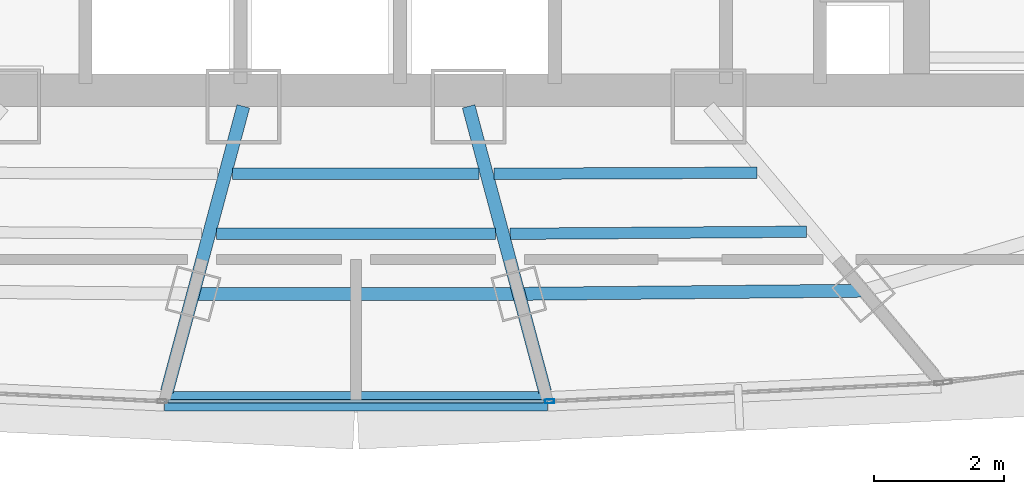
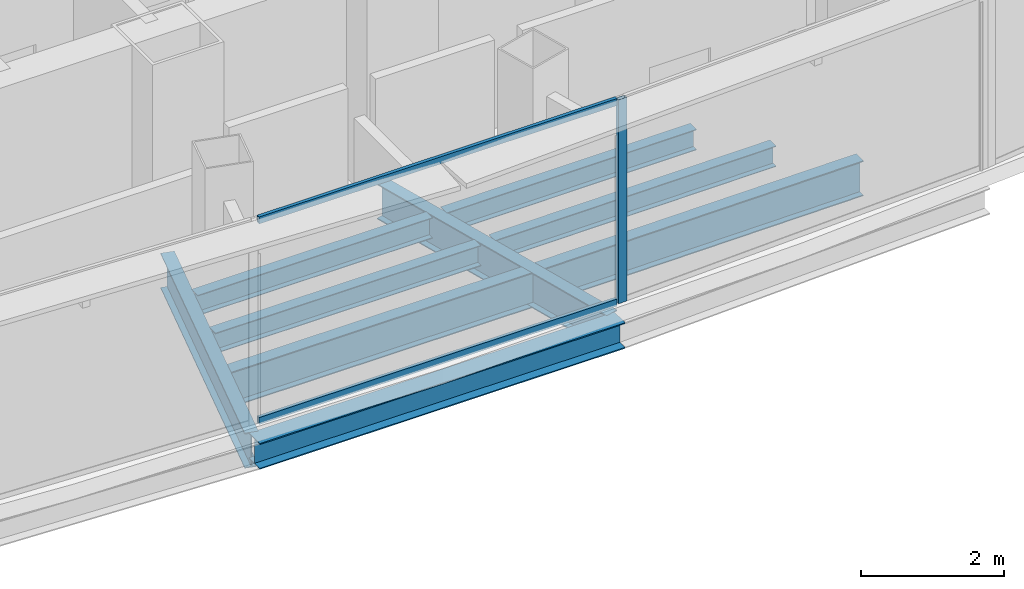
# One storey, part 5 of 29: 9 beams, 3 members, 2 elements without a shape of their own.
"""IFC4 building model written with IfcOpenShell, lengths in metres."""

from ifc_helpers import new_model, si_unit, direction, frame, origin, origin_2d, place, context, subcontext, project, spatial, hollow_rectangle, i_section, extrude, source, transform, mapped, material, layer, layer_set, material_profile, profile_set, type_object, element, aggregate, save


model = new_model("IFC4")

# Units and contexts
model_context = context("Model", 3, precision=1e-05, world=origin(), true_north=direction((0.0, 1.0)))
body_context = subcontext(model_context, "Body", "Model", "MODEL_VIEW")
ifc_project = project(units=[si_unit("LENGTHUNIT", "METRE"), si_unit("AREAUNIT", "SQUARE_METRE"), si_unit("VOLUMEUNIT", "CUBIC_METRE"), si_unit("PLANEANGLEUNIT", "RADIAN"), si_unit("MASSUNIT", "GRAM", prefix="KILO"), si_unit("THERMODYNAMICTEMPERATUREUNIT", "KELVIN"), si_unit("POWERUNIT", "WATT")], contexts=[model_context])

# Site, building, storey
site_placement = place(None, origin())
site = spatial("IfcSite", under=ifc_project, at=site_placement, CompositionType="ELEMENT")
building_placement = place(site_placement, origin())
building = spatial("IfcBuilding", under=site, at=building_placement, Name="Yunzhuo Pagoda Commons", CompositionType="ELEMENT")
storey_placement = place(building_placement, frame((0.0, 0.0, 363.010009765625)))
storey = spatial("IfcBuildingStorey", under=building, at=storey_placement, Name="L91", CompositionType="ELEMENT", Elevation=363.010009765625)

# Beams
ifc_material_1 = material(Name="Structural steel Q355B", Category="steel")
ifc_material_profile_1 = material_profile(ifc_material_1, i_section(OverallWidth=0.199951171875, OverallDepth=0.60009765625, WebThickness=0.010986328125, FlangeThickness=0.01708984375, at=origin_2d()), Name="Structural steel Q355B")
ifc_profile_set_1 = profile_set([ifc_material_profile_1], Name="Structural steel Q355B")
beam_type_1 = type_object("IfcBeamType", Name="B-RG3 Beam HN 600x200x11x17", PredefinedType="BEAM", material=ifc_profile_set_1)
shared_shape_1 = source(origin(), body_context, "Body", "SweptSolid", [
    extrude(i_section(OverallWidth=0.199951171875, OverallDepth=0.60009765625, WebThickness=0.010986328125, FlangeThickness=0.01708984375, at=origin_2d()), origin(), (0.0, 0.0, 1.0), 5.286376953125),
])
beam_1_placement = place(storey_placement, frame((50.499267578125, 24.372802734375, -0.56005859375), z_axis=(0.999957341442, 0.009236627946, 0.0), x_axis=(-0.009236627946, 0.999957341442, 0.0)))
element("IfcBeam", 1, at=beam_1_placement, inside=storey, type_object=beam_type_1, Name="L91 column-ring beam 3", PredefinedType="BEAM", context=body_context, shape_type="MappedRepresentation", body=[
    mapped(shared_shape_1, transform((0.0, 0.0, 0.0), scale=1.0)),
])
shared_shape_2 = source(origin(), body_context, "Body", "SweptSolid", [
    extrude(i_section(OverallWidth=0.199951171875, OverallDepth=0.60009765625, WebThickness=0.010986328125, FlangeThickness=0.01708984375, at=origin_2d()), origin(), (0.0, 0.0, 1.0), 4.99853515625),
])
beam_2_placement = place(storey_placement, frame((45.500732421875, 24.372802734375, -0.56005859375), z_axis=(1.0, 0.0, 0.0), x_axis=(0.0, 1.0, 0.0)))
element("IfcBeam", 2, at=beam_2_placement, inside=storey, type_object=beam_type_1, Name="L91 column-ring beam 2", PredefinedType="BEAM", context=body_context, shape_type="MappedRepresentation", body=[
    mapped(shared_shape_2, transform((0.0, 0.0, 0.0), scale=1.0)),
])
ifc_material_profile_2 = material_profile(ifc_material_1, i_section(OverallWidth=0.175048828125, OverallDepth=0.35009765625, WebThickness=0.007080078125, FlangeThickness=0.010986328125, at=origin_2d()), Name="Structural steel Q355B")
ifc_profile_set_2 = profile_set([ifc_material_profile_2], Name="Structural steel Q355B")
beam_type_2 = type_object("IfcBeamType", Name="B-JS2 Joist HN 350x175x7x11", PredefinedType="JOIST", material=ifc_profile_set_2)
shared_shape_3 = source(origin(), body_context, "Body", "SweptSolid", [
    extrude(i_section(OverallWidth=0.175048828125, OverallDepth=0.35009765625, WebThickness=0.007080078125, FlangeThickness=0.010986328125, at=origin_2d()), origin(), (0.0, 0.0, 1.0), 4.03076171875),
])
beam_3_placement = place(storey_placement, frame((50.120849609375, 26.214599609375, -0.43505859375), z_axis=(0.999991518197, 0.004118680996, 0.0), x_axis=(-0.004118680996, 0.999991518197, 0.0)))
element("IfcBeam", 3, at=beam_3_placement, inside=storey, type_object=beam_type_2, Name="L91 composite ring joist 1.3", PredefinedType="JOIST", context=body_context, shape_type="MappedRepresentation", body=[
    mapped(shared_shape_3, transform((0.0, 0.0, 0.0), scale=1.0)),
])
shared_shape_4 = source(origin(), body_context, "Body", "SweptSolid", [
    extrude(i_section(OverallWidth=0.175048828125, OverallDepth=0.35009765625, WebThickness=0.007080078125, FlangeThickness=0.010986328125, at=origin_2d()), origin(), (0.0, 0.0, 1.0), 4.54345703125),
])
beam_4_placement = place(storey_placement, frame((50.367431640625, 25.29443359375, -0.43505859375), z_axis=(0.999975976237, 0.006931590593, 0.0), x_axis=(-0.006931590593, 0.999975976237, 0.0)))
element("IfcBeam", 4, at=beam_4_placement, inside=storey, type_object=beam_type_2, Name="L91 composite ring joist 2.3", PredefinedType="JOIST", context=body_context, shape_type="MappedRepresentation", body=[
    mapped(shared_shape_4, transform((0.0, 0.0, 0.0), scale=1.0)),
])
shared_shape_5 = source(origin(), body_context, "Body", "SweptSolid", [
    extrude(i_section(OverallWidth=0.175048828125, OverallDepth=0.35009765625, WebThickness=0.007080078125, FlangeThickness=0.010986328125, at=origin_2d()), origin(), (0.0, 0.0, 1.0), 3.78173828125),
])
beam_5_placement = place(storey_placement, frame((46.109130859375, 26.214111328125, -0.43505859375), z_axis=(1.0, 0.0, 0.0), x_axis=(0.0, 1.0, 0.0)))
element("IfcBeam", 5, at=beam_5_placement, inside=storey, type_object=beam_type_2, Name="L91 composite ring joist 1.2", PredefinedType="JOIST", context=body_context, shape_type="MappedRepresentation", body=[
    mapped(shared_shape_5, transform((0.0, 0.0, 0.0), scale=1.0)),
])
shared_shape_6 = source(origin(), body_context, "Body", "SweptSolid", [
    extrude(i_section(OverallWidth=0.175048828125, OverallDepth=0.35009765625, WebThickness=0.007080078125, FlangeThickness=0.010986328125, at=origin_2d()), origin(), (0.0, 0.0, 1.0), 4.27490234375),
])
beam_6_placement = place(storey_placement, frame((45.862548828125, 25.29345703125, -0.43505859375), z_axis=(1.0, 0.0, 0.0), x_axis=(0.0, 1.0, 0.0)))
element("IfcBeam", 6, at=beam_6_placement, inside=storey, type_object=beam_type_2, Name="L91 composite ring joist 2.2", PredefinedType="JOIST", context=body_context, shape_type="MappedRepresentation", body=[
    mapped(shared_shape_6, transform((0.0, 0.0, 0.0), scale=1.0)),
])
shared_shape_7 = source(origin(), body_context, "Body", "SweptSolid", [
    extrude(i_section(OverallWidth=0.199951171875, OverallDepth=0.60009765625, WebThickness=0.010986328125, FlangeThickness=0.01708984375, at=origin_2d()), origin(), (0.0, 0.0, 1.0), 4.531494140625),
])
beam_7_placement = place(storey_placement, frame((45.098876953125, 22.873046875, -0.56005859375), z_axis=(0.25887971202, 0.965909568595, 0.0), x_axis=(-0.965909568595, 0.25887971202, 0.0)))
element("IfcBeam", 7, at=beam_7_placement, inside=storey, type_object=beam_type_1, Name="L91 radial floor girder F1C2", PredefinedType="BEAM", context=body_context, shape_type="MappedRepresentation", body=[
    mapped(shared_shape_7, transform((0.0, 0.0, 0.0), scale=1.0)),
])
shared_shape_8 = source(origin(), body_context, "Body", "SweptSolid", [
    extrude(i_section(OverallWidth=0.199951171875, OverallDepth=0.60009765625, WebThickness=0.010986328125, FlangeThickness=0.01708984375, at=origin_2d()), origin(), (0.0, 0.0, 1.0), 4.53125),
])
beam_8_placement = place(storey_placement, frame((50.901123046875, 22.873046875, -0.56005859375), z_axis=(-0.258779175065, 0.965936508551, 0.0), x_axis=(-0.965936508551, -0.258779175065, 0.0)))
element("IfcBeam", 8, at=beam_8_placement, inside=storey, type_object=beam_type_1, Name="L91 radial floor girder F1C3", PredefinedType="BEAM", context=body_context, shape_type="MappedRepresentation", body=[
    mapped(shared_shape_8, transform((0.0, 0.0, 0.0), scale=1.0)),
])
ifc_material_profile_3 = material_profile(ifc_material_1, i_section(OverallWidth=0.300048828125, OverallDepth=0.43994140625, WebThickness=0.010986328125, FlangeThickness=0.01806640625, at=origin_2d()), Name="Structural steel Q355B")
ifc_profile_set_3 = profile_set([ifc_material_profile_3], Name="Structural steel Q355B")
beam_type_3 = type_object("IfcBeamType", Name="B-SP2 Beam HM 440x300x11x18", PredefinedType="BEAM", material=ifc_profile_set_3)
shared_shape_9 = source(origin(), body_context, "Body", "SweptSolid", [
    extrude(i_section(OverallWidth=0.300048828125, OverallDepth=0.43994140625, WebThickness=0.010986328125, FlangeThickness=0.01806640625, at=origin_2d()), origin(), (0.0, 0.0, 1.0), 5.88232421875),
])
beam_9_placement = place(storey_placement, frame((45.058837890625, 22.723388671875, -0.47998046875), z_axis=(1.0, 0.0, 0.0), x_axis=(0.0, 1.0, 0.0)))
element("IfcBeam", 9, at=beam_9_placement, inside=storey, type_object=beam_type_3, Name="L91 facade edge spandrel beam F1.2", PredefinedType="BEAM", context=body_context, shape_type="MappedRepresentation", body=[
    mapped(shared_shape_9, transform((0.0, 0.0, 0.0), scale=1.0)),
])

# Curtain wall, member
ifc_material_2 = material(Name="Anodized aluminium 6063-T6", Category="aluminium")
ifc_layer = layer(ifc_material_2, 0.139892578125)
ifc_layer_set = layer_set([ifc_layer], Name="Anodized aluminium 6063-T6")
curtain_wall_type = type_object("IfcCurtainWallType", Name="CW-HI High-Zone Ribbon Curtain Wall", PredefinedType="NOTDEFINED", material=ifc_layer_set)
curtain_wall_1_placement = place(storey_placement, origin())
curtain_wall_1 = element("IfcCurtainWall", 10, at=curtain_wall_1_placement, inside=storey, type_object=curtain_wall_type, Name="L91 curtain wall CW-L91-F1B4", PredefinedType="NOTDEFINED")
ifc_material_profile_4 = material_profile(ifc_material_2, hollow_rectangle(XDim=0.06005859375, YDim=0.139892578125, WallThickness=0.00341796875, at=origin_2d()), Name="Anodized aluminium 6063-T6")
ifc_profile_set_4 = profile_set([ifc_material_profile_4], Name="Anodized aluminium 6063-T6")
member_type_1 = type_object("IfcMemberType", Name="CW-HI-M Mullion RHS 140x60x3.5", PredefinedType="MULLION", material=ifc_profile_set_4)
shared_shape_10 = source(origin(), body_context, "Body", "SweptSolid", [
    extrude(hollow_rectangle(XDim=0.06005859375, YDim=0.139892578125, WallThickness=0.00341796875, at=origin_2d()), origin(), (0.0, 0.0, 1.0), 3.47021484375),
])
member_1_placement = place(storey_placement, frame((50.97119140625, 22.724609375, 0.0), z_axis=(0.0, 0.0, 1.0), x_axis=(-0.046711544825, 0.998908420017, 0.0)))
member_1 = element("IfcMember", 11, at=member_1_placement, type_object=member_type_1, Name="CW mullion 1", PredefinedType="MULLION", context=body_context, shape_type="MappedRepresentation", body=[
    mapped(shared_shape_10, transform((0.0, 0.0, 0.0), scale=1.0)),
])
aggregate(curtain_wall_1, [member_1])

# Curtain wall, members
curtain_wall_2_placement = place(storey_placement, origin())
curtain_wall_2 = element("IfcCurtainWall", 12, at=curtain_wall_2_placement, inside=storey, type_object=curtain_wall_type, Name="L91 curtain wall CW-L91-F1B3", PredefinedType="NOTDEFINED")
ifc_material_profile_5 = material_profile(ifc_material_2, hollow_rectangle(XDim=0.054931640625, YDim=0.1201171875, WallThickness=0.00341796875, at=origin_2d()), Name="Anodized aluminium 6063-T6")
ifc_profile_set_5 = profile_set([ifc_material_profile_5], Name="Anodized aluminium 6063-T6")
member_type_2 = type_object("IfcMemberType", Name="CW-HI-T Transom RHS 120x55x3.5", PredefinedType="USERDEFINED", material=ifc_profile_set_5)
shared_shape_11 = source(origin(), body_context, "Body", "SweptSolid", [
    extrude(hollow_rectangle(XDim=0.054931640625, YDim=0.1201171875, WallThickness=0.00341796875, at=origin_2d()), origin(), (0.0, 0.0, 1.0), 5.76220703125),
])
member_2_placement = place(storey_placement, frame((45.119140625, 22.723388671875, 0.027587890625), z_axis=(1.0, 0.0, 0.0), x_axis=(0.0, 1.0, 0.0)))
member_2 = element("IfcMember", 13, at=member_2_placement, type_object=member_type_2, Name="CW transom 1.1", ObjectType="TRANSOM", PredefinedType="USERDEFINED", context=body_context, shape_type="MappedRepresentation", body=[
    mapped(shared_shape_11, transform((0.0, 0.0, 0.0), scale=1.0)),
])
member_3_placement = place(storey_placement, frame((45.119140625, 22.723388671875, 3.4423828125), z_axis=(1.0, 0.0, 0.0), x_axis=(0.0, 1.0, 0.0)))
member_3 = element("IfcMember", 14, at=member_3_placement, type_object=member_type_2, Name="CW transom 1.2", ObjectType="TRANSOM", PredefinedType="USERDEFINED", context=body_context, shape_type="MappedRepresentation", body=[
    mapped(shared_shape_11, transform((0.0, 0.0, 0.0), scale=1.0)),
])
aggregate(curtain_wall_2, [member_2, member_3])

save(model, "model.ifc")
